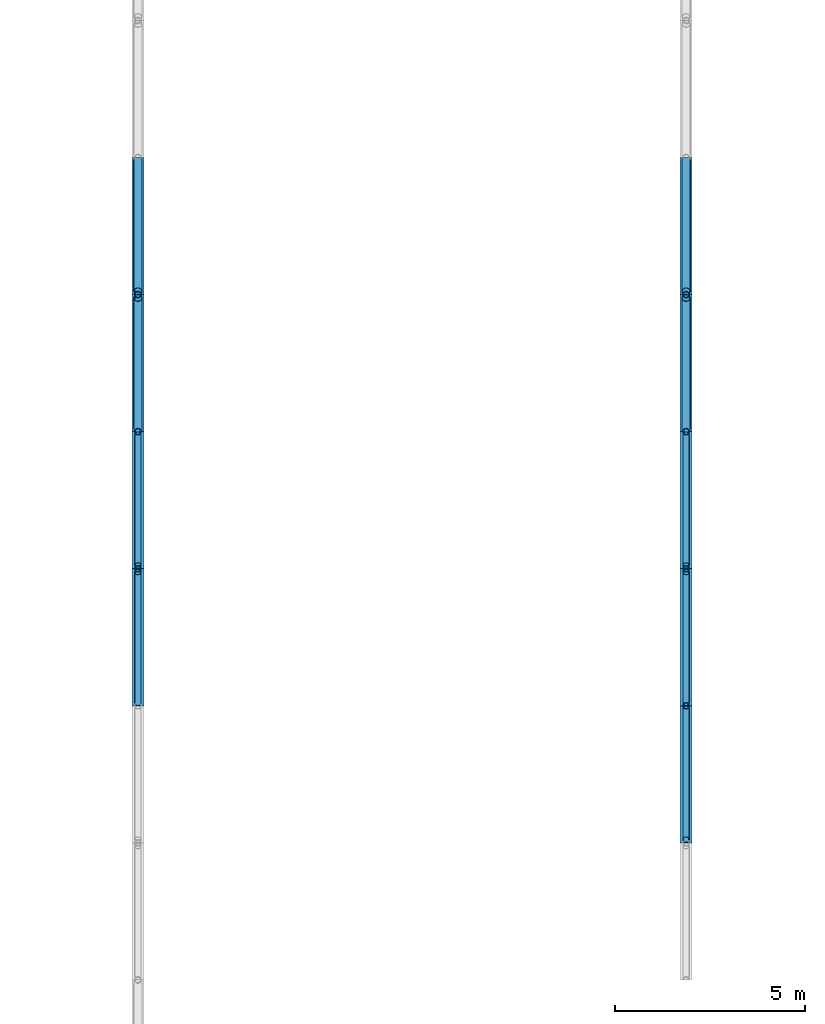
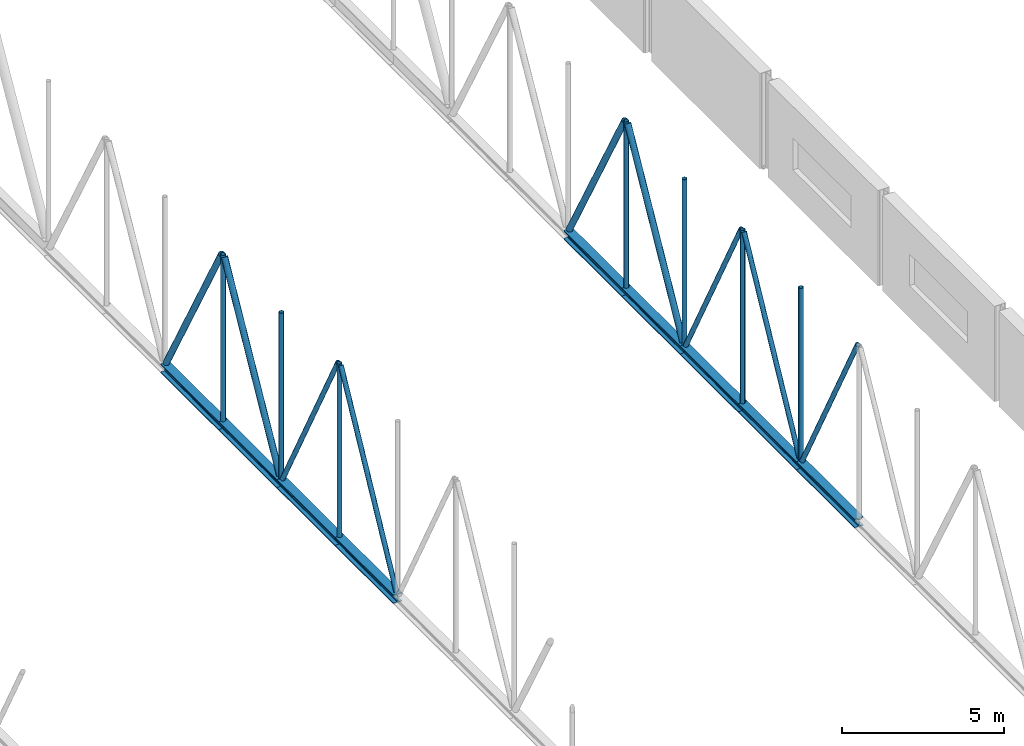
# One storey, part 63 of 142: 25 members.
"""IFC4 building model written with IfcOpenShell, lengths in metres."""

from ifc_helpers import new_model, si_unit, direction, frame, origin, origin_2d, place, context, subcontext, project, spatial, hollow_circle, i_section, extrude, material, material_profile, profile_set, type_object, element, save


model = new_model("IFC4")

# Units and contexts
model_context = context("Model", 3, precision=1e-05, world=origin(), true_north=direction((0.0, 1.0)))
body_context = subcontext(model_context, "Body", "Model", "MODEL_VIEW")
ifc_project = project(units=[si_unit("LENGTHUNIT", "METRE"), si_unit("AREAUNIT", "SQUARE_METRE"), si_unit("VOLUMEUNIT", "CUBIC_METRE"), si_unit("PLANEANGLEUNIT", "RADIAN"), si_unit("MASSUNIT", "GRAM", prefix="KILO")], contexts=[model_context])

# Site, building, storey
site_placement = place(None, origin())
site = spatial("IfcSite", under=ifc_project, at=site_placement, CompositionType="ELEMENT")
building_placement = place(site_placement, origin())
building = spatial("IfcBuilding", under=site, at=building_placement, Name="Kupolbacken Congress Centre", CompositionType="ELEMENT")
storey_placement = place(building_placement, frame((0.0, 0.0, 14.39990234375)))
storey = spatial("IfcBuildingStorey", under=building, at=storey_placement, Name="L04", CompositionType="ELEMENT", Elevation=14.39990234375)

# Members
ifc_material_1 = material(Name="Steel S355", Category="steel")
ifc_material_profile_1 = material_profile(ifc_material_1, i_section(OverallWidth=0.31005859375, OverallDepth=0.340087890625, WebThickness=0.02099609375, FlangeThickness=0.0390625, FilletRadius=0.027099609375, at=origin_2d()), Name="HEM 300")
ifc_profile_set_1 = profile_set([ifc_material_profile_1], Name="Steel S355")
member_type_1 = type_object("IfcMemberType", Name="M01 transfer truss chord HEM 300", PredefinedType="CHORD", material=ifc_profile_set_1)
member_1_placement = place(storey_placement, frame((180.0, 79.199951171875, 0.16015625), z_axis=(0.0, 1.0, 0.0), x_axis=(-1.0, 0.0, 0.0)))
element("IfcMember", 1, at=member_1_placement, inside=storey, type_object=member_type_1, Name="HT/T7/BC11", PredefinedType="CHORD", context=body_context, shape_type="SweptSolid", body=[
    extrude(i_section(OverallWidth=0.31005859375, OverallDepth=0.340087890625, WebThickness=0.02099609375, FlangeThickness=0.0390625, FilletRadius=0.027099609375, at=origin_2d()), origin(), (0.0, 0.0, 1.0), 3.60009765625),
])
member_2_placement = place(storey_placement, frame((180.0, 82.800048828125, 0.16015625), z_axis=(0.0, 1.0, 0.0), x_axis=(-1.0, 0.0, 0.0)))
element("IfcMember", 2, at=member_2_placement, inside=storey, type_object=member_type_1, Name="HT/T7/BC12", PredefinedType="CHORD", context=body_context, shape_type="SweptSolid", body=[
    extrude(i_section(OverallWidth=0.31005859375, OverallDepth=0.340087890625, WebThickness=0.02099609375, FlangeThickness=0.0390625, FilletRadius=0.027099609375, at=origin_2d()), origin(), (0.0, 0.0, 1.0), 3.599853515625),
])
for number, where, z_axis, x_axis, name in (
    (3, (180.0, 86.39990234375, 0.16015625), (0.0, 1.0, 0.0), (-1.0, 0.0, 0.0), "HT/T7/BC13"),
    (4, (180.0, 90.0, 0.16015625), (0.0, 1.0, 0.0), (-1.0, 0.0, 0.0), "HT/T7/BC14"),
):
    element("IfcMember", number, at=place(storey_placement, frame(where, z_axis=z_axis, x_axis=x_axis)), inside=storey, type_object=member_type_1, Name=name, PredefinedType="CHORD", context=body_context, shape_type="SweptSolid", body=[
        extrude(i_section(OverallWidth=0.31005859375, OverallDepth=0.340087890625, WebThickness=0.02099609375, FlangeThickness=0.0390625, FilletRadius=0.027099609375, at=origin_2d()), origin(), (0.0, 0.0, 1.0), 3.60009765625),
    ])
member_3_placement = place(storey_placement, frame((194.39990234375, 75.60009765625, 0.16015625), z_axis=(0.0, 1.0, 0.0), x_axis=(-1.0, 0.0, 0.0)))
element("IfcMember", 5, at=member_3_placement, inside=storey, type_object=member_type_1, Name="HT/T8/BC10", PredefinedType="CHORD", context=body_context, shape_type="SweptSolid", body=[
    extrude(i_section(OverallWidth=0.31005859375, OverallDepth=0.340087890625, WebThickness=0.02099609375, FlangeThickness=0.0390625, FilletRadius=0.027099609375, at=origin_2d()), origin(), (0.0, 0.0, 1.0), 3.599853515625),
])
member_4_placement = place(storey_placement, frame((194.39990234375, 79.199951171875, 0.16015625), z_axis=(0.0, 1.0, 0.0), x_axis=(-1.0, 0.0, 0.0)))
element("IfcMember", 6, at=member_4_placement, inside=storey, type_object=member_type_1, Name="HT/T8/BC11", PredefinedType="CHORD", context=body_context, shape_type="SweptSolid", body=[
    extrude(i_section(OverallWidth=0.31005859375, OverallDepth=0.340087890625, WebThickness=0.02099609375, FlangeThickness=0.0390625, FilletRadius=0.027099609375, at=origin_2d()), origin(), (0.0, 0.0, 1.0), 3.60009765625),
])
member_5_placement = place(storey_placement, frame((194.39990234375, 82.800048828125, 0.16015625), z_axis=(0.0, 1.0, 0.0), x_axis=(-1.0, 0.0, 0.0)))
element("IfcMember", 7, at=member_5_placement, inside=storey, type_object=member_type_1, Name="HT/T8/BC12", PredefinedType="CHORD", context=body_context, shape_type="SweptSolid", body=[
    extrude(i_section(OverallWidth=0.31005859375, OverallDepth=0.340087890625, WebThickness=0.02099609375, FlangeThickness=0.0390625, FilletRadius=0.027099609375, at=origin_2d()), origin(), (0.0, 0.0, 1.0), 3.599853515625),
])
for number, where, z_axis, x_axis, name in (
    (8, (194.39990234375, 86.39990234375, 0.16015625), (0.0, 1.0, 0.0), (-1.0, 0.0, 0.0), "HT/T8/BC13"),
    (9, (194.39990234375, 90.0, 0.16015625), (0.0, 1.0, 0.0), (-1.0, 0.0, 0.0), "HT/T8/BC14"),
):
    element("IfcMember", number, at=place(storey_placement, frame(where, z_axis=z_axis, x_axis=x_axis)), inside=storey, type_object=member_type_1, Name=name, PredefinedType="CHORD", context=body_context, shape_type="SweptSolid", body=[
        extrude(i_section(OverallWidth=0.31005859375, OverallDepth=0.340087890625, WebThickness=0.02099609375, FlangeThickness=0.0390625, FilletRadius=0.027099609375, at=origin_2d()), origin(), (0.0, 0.0, 1.0), 3.60009765625),
    ])
ifc_material_2 = material(Name="Steel S355", Category="steel")
ifc_material_profile_2 = material_profile(ifc_material_2, hollow_circle(Radius=0.109619140625, WallThickness=0.010009765625, at=origin_2d()), Name="CHS 219.1 x 10")
ifc_profile_set_2 = profile_set([ifc_material_profile_2], Name="Steel S355")
member_type_2 = type_object("IfcMemberType", Name="M05 transfer truss web CHS 219.1 x 10", PredefinedType="BRACE", material=ifc_profile_set_2)
for number, where, z_axis, x_axis, name in (
    (10, (180.0, 86.484130859375, 0.372802734375), (0.0, 0.48517101949, 0.874419282637), (-1.0, 0.0, 0.0), "HT/T7/D13"),
    (11, (180.0, 90.084228515625, 6.5576171875), (0.0, 0.48517101949, -0.874419282637), (-1.0, 0.0, 0.0), "HT/T7/D14"),
    (12, (194.39990234375, 86.484130859375, 0.372802734375), (0.0, 0.48517101949, 0.874419282637), (-1.0, 0.0, 0.0), "HT/T8/D13"),
    (13, (194.39990234375, 90.084228515625, 6.5576171875), (0.0, 0.48517101949, -0.874419282637), (-1.0, 0.0, 0.0), "HT/T8/D14"),
):
    element("IfcMember", number, at=place(storey_placement, frame(where, z_axis=z_axis, x_axis=x_axis)), inside=storey, type_object=member_type_2, Name=name, PredefinedType="BRACE", context=body_context, shape_type="SweptSolid", body=[
        extrude(hollow_circle(Radius=0.109619140625, WallThickness=0.010009765625, at=origin_2d()), origin(), (0.0, 0.0, 1.0), 7.072998046875),
    ])
ifc_material_3 = material(Name="Steel S355", Category="steel")
ifc_material_profile_3 = material_profile(ifc_material_3, hollow_circle(Radius=0.084228515625, WallThickness=0.008056640625, at=origin_2d()), Name="CHS 168.3 x 8")
ifc_profile_set_3 = profile_set([ifc_material_profile_3], Name="Steel S355")
member_type_3 = type_object("IfcMemberType", Name="M06 transfer truss web CHS 168.3 x 8", PredefinedType="BRACE", material=ifc_profile_set_3)
for number, where, z_axis, x_axis, name in (
    (14, (180.0, 79.2841796875, 0.359130859375), (0.0, 0.468455727838, 0.883486972771), (-1.0, 0.0, 0.0), "HT/T7/D11"),
    (15, (180.0, 82.884033203125, 6.8310546875), (0.0, 0.468481741227, -0.88347317907), (-1.0, 0.0, 0.0), "HT/T7/D12"),
    (16, (194.39990234375, 75.68408203125, 6.8310546875), (0.0, 0.468481741227, -0.88347317907), (-1.0, 0.0, 0.0), "HT/T8/D10"),
    (17, (194.39990234375, 79.2841796875, 0.359130859375), (0.0, 0.468455727838, 0.883486972771), (-1.0, 0.0, 0.0), "HT/T8/D11"),
    (18, (194.39990234375, 82.884033203125, 6.8310546875), (0.0, 0.468481741227, -0.88347317907), (-1.0, 0.0, 0.0), "HT/T8/D12"),
):
    element("IfcMember", number, at=place(storey_placement, frame(where, z_axis=z_axis, x_axis=x_axis)), inside=storey, type_object=member_type_3, Name=name, PredefinedType="BRACE", context=body_context, shape_type="SweptSolid", body=[
        extrude(hollow_circle(Radius=0.084228515625, WallThickness=0.008056640625, at=origin_2d()), origin(), (0.0, 0.0, 1.0), 7.325439453125),
    ])
ifc_material_4 = material(Name="Steel S355", Category="steel")
ifc_material_profile_4 = material_profile(ifc_material_4, hollow_circle(Radius=0.084228515625, WallThickness=0.008056640625, at=origin_2d()), Name="CHS 168.3 x 8")
ifc_profile_set_4 = profile_set([ifc_material_profile_4], Name="Steel S355")
member_type_4 = type_object("IfcMemberType", Name="M20 transfer truss post CHS 168.3 x 8", PredefinedType="STRUT", material=ifc_profile_set_4)
member_6_placement = place(storey_placement, frame((180.0, 82.800048828125, 0.320068359375), z_axis=(0.0, 0.0, 1.0), x_axis=(0.0, 1.0, 0.0)))
element("IfcMember", 19, at=member_6_placement, inside=storey, type_object=member_type_4, Name="HT/T7/P11", PredefinedType="STRUT", context=body_context, shape_type="SweptSolid", body=[
    extrude(hollow_circle(Radius=0.084228515625, WallThickness=0.008056640625, at=origin_2d()), origin(), (0.0, 0.0, 1.0), 6.550048828125),
])
for number, where, z_axis, x_axis, name in (
    (20, (180.0, 86.39990234375, 0.320068359375), (0.0, 0.0, 1.0), (0.0, 1.0, 0.0), "HT/T7/P12"),
    (21, (180.0, 90.0, 0.320068359375), (0.0, 0.0, 1.0), (0.0, 1.0, 0.0), "HT/T7/P13"),
):
    element("IfcMember", number, at=place(storey_placement, frame(where, z_axis=z_axis, x_axis=x_axis)), inside=storey, type_object=member_type_4, Name=name, PredefinedType="STRUT", context=body_context, shape_type="SweptSolid", body=[
        extrude(hollow_circle(Radius=0.084228515625, WallThickness=0.008056640625, at=origin_2d()), origin(), (0.0, 0.0, 1.0), 6.2900390625),
    ])
for number, where, z_axis, x_axis, name in (
    (22, (194.39990234375, 79.199951171875, 0.320068359375), (0.0, 0.0, 1.0), (0.0, 1.0, 0.0), "HT/T8/P10"),
    (23, (194.39990234375, 82.800048828125, 0.320068359375), (0.0, 0.0, 1.0), (0.0, 1.0, 0.0), "HT/T8/P11"),
):
    element("IfcMember", number, at=place(storey_placement, frame(where, z_axis=z_axis, x_axis=x_axis)), inside=storey, type_object=member_type_4, Name=name, PredefinedType="STRUT", context=body_context, shape_type="SweptSolid", body=[
        extrude(hollow_circle(Radius=0.084228515625, WallThickness=0.008056640625, at=origin_2d()), origin(), (0.0, 0.0, 1.0), 6.550048828125),
    ])
for number, where, z_axis, x_axis, name in (
    (24, (194.39990234375, 86.39990234375, 0.320068359375), (0.0, 0.0, 1.0), (0.0, 1.0, 0.0), "HT/T8/P12"),
    (25, (194.39990234375, 90.0, 0.320068359375), (0.0, 0.0, 1.0), (0.0, 1.0, 0.0), "HT/T8/P13"),
):
    element("IfcMember", number, at=place(storey_placement, frame(where, z_axis=z_axis, x_axis=x_axis)), inside=storey, type_object=member_type_4, Name=name, PredefinedType="STRUT", context=body_context, shape_type="SweptSolid", body=[
        extrude(hollow_circle(Radius=0.084228515625, WallThickness=0.008056640625, at=origin_2d()), origin(), (0.0, 0.0, 1.0), 6.2900390625),
    ])

save(model, "model.ifc")
